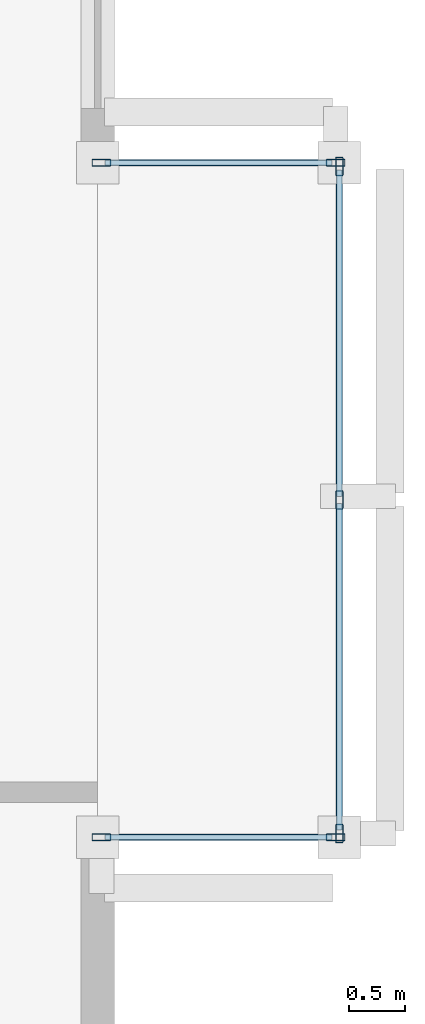
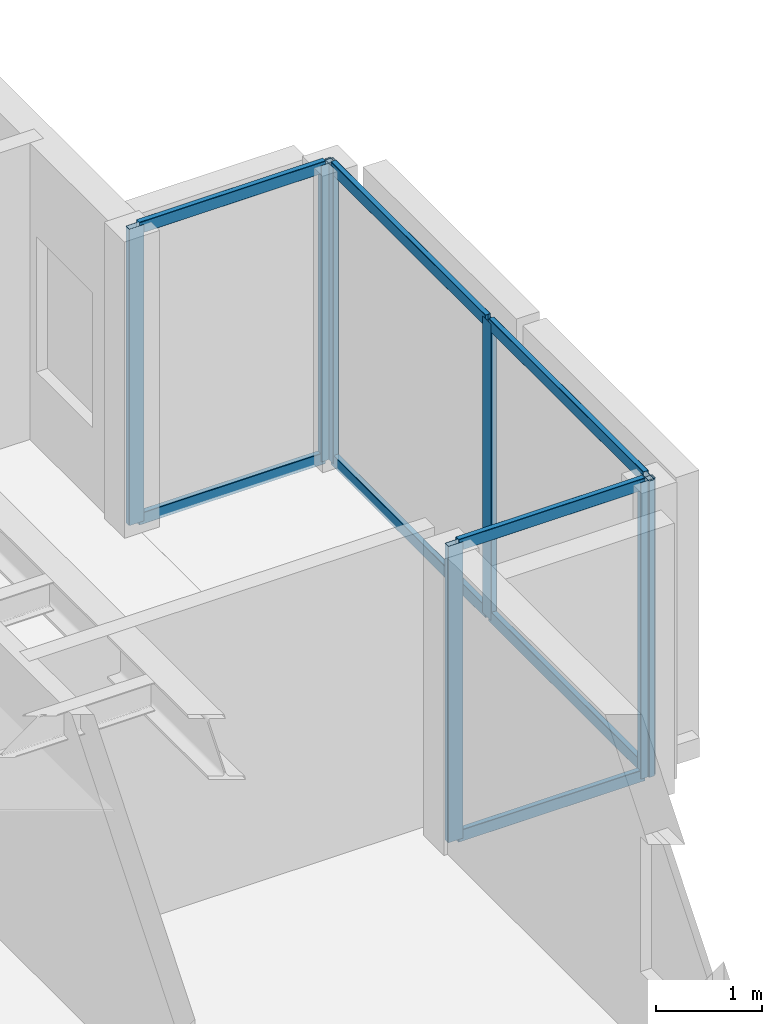
# One storey, part 6 of 16: 15 members, 3 elements without a shape of their own.
"""IFC4 building model written with IfcOpenShell, lengths in metres."""

from ifc_helpers import new_model, si_unit, direction, frame, origin, origin_2d, place, context, subcontext, project, spatial, hollow_rectangle, extrude, material, layer, layer_set, material_profile, profile_set, type_object, element, aggregate, save


model = new_model("IFC4")

# Units and contexts
model_context = context("Model", 3, precision=1e-05, world=origin(), true_north=direction((0.0, 1.0)))
body_context = subcontext(model_context, "Body", "Model", "MODEL_VIEW")
ifc_project = project(units=[si_unit("LENGTHUNIT", "METRE"), si_unit("AREAUNIT", "SQUARE_METRE"), si_unit("VOLUMEUNIT", "CUBIC_METRE"), si_unit("PLANEANGLEUNIT", "RADIAN"), si_unit("MASSUNIT", "GRAM", prefix="KILO")], contexts=[model_context])

# Site, building, storey
site_placement = place(None, origin())
site = spatial("IfcSite", under=ifc_project, at=site_placement, CompositionType="ELEMENT")
building_placement = place(site_placement, origin())
building = spatial("IfcBuilding", under=site, at=building_placement, Name="An Khanh Terracotta Commons", CompositionType="ELEMENT")
storey_placement = place(building_placement, frame((0.0, 0.0, 68.39990234375)))
storey = spatial("IfcBuildingStorey", under=building, at=storey_placement, Name="L18", CompositionType="ELEMENT", Elevation=68.39990234375)

# Curtain wall, members
ifc_material = material(Name="Anodised Aluminium 6063-T6", Category="aluminium")
ifc_layer = layer(ifc_material, 0.239990234375, Name="Anodised Aluminium 6063-T6")
ifc_layer_set = layer_set([ifc_layer], Name="Anodised Aluminium 6063-T6")
curtain_wall_type = type_object("IfcCurtainWallType", Name="CW-SYS-04", PredefinedType="USERDEFINED", material=ifc_layer_set)
curtain_wall_1_placement = place(storey_placement, origin())
curtain_wall_1 = element("IfcCurtainWall", 1, at=curtain_wall_1_placement, inside=storey, type_object=curtain_wall_type, Name="L18 CW-04 Unitised Curtain Wall CW-L18-EBOX-1", ObjectType="UNITISED CURTAIN WALL", PredefinedType="USERDEFINED")
ifc_material_profile_1 = material_profile(ifc_material, hollow_rectangle(XDim=0.06494140625, YDim=0.1650390625, WallThickness=0.00390625, InnerFilletRadius=0.00390625, OuterFilletRadius=0.008056640625, at=origin_2d()), Name="RHS165x65x4")
ifc_profile_set_1 = profile_set([ifc_material_profile_1], Name="Anodised Aluminium 6063-T6")
member_type_1 = type_object("IfcMemberType", Name="CWM-RHS165x65x4", PredefinedType="MULLION", material=ifc_profile_set_1)
member_1_placement = place(storey_placement, frame((53.75, 22.632568359375, 0.0), z_axis=(0.0, 0.0, 1.0), x_axis=(-1.0, 0.0, 0.0)))
member_1 = element("IfcMember", 2, at=member_1_placement, type_object=member_type_1, Name="CW-04 mullion 1", PredefinedType="MULLION", context=body_context, shape_type="SweptSolid", body=[
    extrude(hollow_rectangle(XDim=0.06494140625, YDim=0.1650390625, WallThickness=0.00390625, InnerFilletRadius=0.00390625, OuterFilletRadius=0.008056640625, at=origin_2d()), origin(), (0.0, 0.0, 1.0), 3.400146484375),
])
member_2_placement = place(storey_placement, frame((53.75, 25.60009765625, 0.0), z_axis=(0.0, 0.0, 1.0), x_axis=(-1.0, 0.0, 0.0)))
member_2 = element("IfcMember", 3, at=member_2_placement, type_object=member_type_1, Name="CW-04 mullion 2", PredefinedType="MULLION", context=body_context, shape_type="SweptSolid", body=[
    extrude(hollow_rectangle(XDim=0.06494140625, YDim=0.1650390625, WallThickness=0.00390625, InnerFilletRadius=0.00390625, OuterFilletRadius=0.008056640625, at=origin_2d()), origin(), (0.0, 0.0, 1.0), 3.400146484375),
])
member_3_placement = place(storey_placement, frame((53.75, 28.5673828125, 0.0), z_axis=(0.0, 0.0, 1.0), x_axis=(-1.0, 0.0, 0.0)))
member_3 = element("IfcMember", 4, at=member_3_placement, type_object=member_type_1, Name="CW-04 mullion 3", PredefinedType="MULLION", context=body_context, shape_type="SweptSolid", body=[
    extrude(hollow_rectangle(XDim=0.06494140625, YDim=0.1650390625, WallThickness=0.00390625, InnerFilletRadius=0.00390625, OuterFilletRadius=0.008056640625, at=origin_2d()), origin(), (0.0, 0.0, 1.0), 3.400146484375),
])

curtain_wall_2_placement = place(storey_placement, origin())
curtain_wall_2 = element("IfcCurtainWall", 5, at=curtain_wall_2_placement, inside=storey, type_object=curtain_wall_type, Name="L18 CW-04 Unitised Curtain Wall CW-L18-EBOX-2", ObjectType="UNITISED CURTAIN WALL", PredefinedType="USERDEFINED")
member_4_placement = place(storey_placement, frame((51.632568359375, 22.60009765625, 0.0), z_axis=(0.0, 0.0, 1.0), x_axis=(0.0, 1.0, 0.0)))
member_4 = element("IfcMember", 6, at=member_4_placement, type_object=member_type_1, Name="CW-04 mullion 1", PredefinedType="MULLION", context=body_context, shape_type="SweptSolid", body=[
    extrude(hollow_rectangle(XDim=0.06494140625, YDim=0.1650390625, WallThickness=0.00390625, InnerFilletRadius=0.00390625, OuterFilletRadius=0.008056640625, at=origin_2d()), origin(), (0.0, 0.0, 1.0), 3.400146484375),
])
member_5_placement = place(storey_placement, frame((53.717529296875, 22.60009765625, 0.0), z_axis=(0.0, 0.0, 1.0), x_axis=(0.0, 1.0, 0.0)))
member_5 = element("IfcMember", 7, at=member_5_placement, type_object=member_type_1, Name="CW-04 mullion 2", PredefinedType="MULLION", context=body_context, shape_type="SweptSolid", body=[
    extrude(hollow_rectangle(XDim=0.06494140625, YDim=0.1650390625, WallThickness=0.00390625, InnerFilletRadius=0.00390625, OuterFilletRadius=0.008056640625, at=origin_2d()), origin(), (0.0, 0.0, 1.0), 3.400146484375),
])

curtain_wall_3_placement = place(storey_placement, origin())
curtain_wall_3 = element("IfcCurtainWall", 8, at=curtain_wall_3_placement, inside=storey, type_object=curtain_wall_type, Name="L18 CW-04 Unitised Curtain Wall CW-L18-EBOX-3", ObjectType="UNITISED CURTAIN WALL", PredefinedType="USERDEFINED")
member_6_placement = place(storey_placement, frame((53.717529296875, 28.60009765625, 0.0), z_axis=(0.0, 0.0, 1.0), x_axis=(0.0, -1.0, 0.0)))
member_6 = element("IfcMember", 9, at=member_6_placement, type_object=member_type_1, Name="CW-04 mullion 1", PredefinedType="MULLION", context=body_context, shape_type="SweptSolid", body=[
    extrude(hollow_rectangle(XDim=0.06494140625, YDim=0.1650390625, WallThickness=0.00390625, InnerFilletRadius=0.00390625, OuterFilletRadius=0.008056640625, at=origin_2d()), origin(), (0.0, 0.0, 1.0), 3.400146484375),
])
member_7_placement = place(storey_placement, frame((51.632568359375, 28.60009765625, 0.0), z_axis=(0.0, 0.0, 1.0), x_axis=(0.0, -1.0, 0.0)))
member_7 = element("IfcMember", 10, at=member_7_placement, type_object=member_type_1, Name="CW-04 mullion 2", PredefinedType="MULLION", context=body_context, shape_type="SweptSolid", body=[
    extrude(hollow_rectangle(XDim=0.06494140625, YDim=0.1650390625, WallThickness=0.00390625, InnerFilletRadius=0.00390625, OuterFilletRadius=0.008056640625, at=origin_2d()), origin(), (0.0, 0.0, 1.0), 3.400146484375),
])

# Member
ifc_material_profile_2 = material_profile(ifc_material, hollow_rectangle(XDim=0.06005859375, YDim=0.135009765625, WallThickness=0.003662109375, InnerFilletRadius=0.003662109375, OuterFilletRadius=0.007080078125, at=origin_2d()), Name="RHS135x60x3.6")
ifc_profile_set_2 = profile_set([ifc_material_profile_2], Name="Anodised Aluminium 6063-T6")
member_type_2 = type_object("IfcMemberType", Name="CWT-RHS135x60x3.6", PredefinedType="USERDEFINED", material=ifc_profile_set_2)
member_8_placement = place(storey_placement, frame((53.75, 22.6650390625, 0.030029296875), z_axis=(0.0, 1.0, 0.0), x_axis=(-1.0, 0.0, 0.0)))
member_8 = element("IfcMember", 11, at=member_8_placement, type_object=member_type_2, Name="CW-04 transom 1.1", ObjectType="TRANSOM", PredefinedType="USERDEFINED", context=body_context, shape_type="SweptSolid", body=[
    extrude(hollow_rectangle(XDim=0.06005859375, YDim=0.135009765625, WallThickness=0.003662109375, InnerFilletRadius=0.003662109375, OuterFilletRadius=0.007080078125, at=origin_2d()), origin(), (0.0, 0.0, 1.0), 2.90234375),
])

member_9_placement = place(storey_placement, frame((53.75, 22.6650390625, 3.3701171875), z_axis=(0.0, 1.0, 0.0), x_axis=(-1.0, 0.0, 0.0)))
member_9 = element("IfcMember", 12, at=member_9_placement, type_object=member_type_2, Name="CW-04 transom 1.2", ObjectType="TRANSOM", PredefinedType="USERDEFINED", context=body_context, shape_type="SweptSolid", body=[
    extrude(hollow_rectangle(XDim=0.06005859375, YDim=0.135009765625, WallThickness=0.003662109375, InnerFilletRadius=0.003662109375, OuterFilletRadius=0.007080078125, at=origin_2d()), origin(), (0.0, 0.0, 1.0), 2.90234375),
])

member_10_placement = place(storey_placement, frame((53.75, 25.632568359375, 0.030029296875), z_axis=(0.0, 1.0, 0.0), x_axis=(-1.0, 0.0, 0.0)))
member_10 = element("IfcMember", 13, at=member_10_placement, type_object=member_type_2, Name="CW-04 transom 2.1", ObjectType="TRANSOM", PredefinedType="USERDEFINED", context=body_context, shape_type="SweptSolid", body=[
    extrude(hollow_rectangle(XDim=0.06005859375, YDim=0.135009765625, WallThickness=0.003662109375, InnerFilletRadius=0.003662109375, OuterFilletRadius=0.007080078125, at=origin_2d()), origin(), (0.0, 0.0, 1.0), 2.90234375),
])

member_11_placement = place(storey_placement, frame((53.75, 25.632568359375, 3.3701171875), z_axis=(0.0, 1.0, 0.0), x_axis=(-1.0, 0.0, 0.0)))
member_11 = element("IfcMember", 14, at=member_11_placement, type_object=member_type_2, Name="CW-04 transom 2.2", ObjectType="TRANSOM", PredefinedType="USERDEFINED", context=body_context, shape_type="SweptSolid", body=[
    extrude(hollow_rectangle(XDim=0.06005859375, YDim=0.135009765625, WallThickness=0.003662109375, InnerFilletRadius=0.003662109375, OuterFilletRadius=0.007080078125, at=origin_2d()), origin(), (0.0, 0.0, 1.0), 2.90234375),
])

aggregate(curtain_wall_1, [member_1, member_2, member_3, member_8, member_9, member_10, member_11])

member_12_placement = place(storey_placement, frame((51.6650390625, 22.60009765625, 0.030029296875), z_axis=(1.0, 0.0, 0.0), x_axis=(0.0, 1.0, 0.0)))
member_12 = element("IfcMember", 15, at=member_12_placement, type_object=member_type_2, Name="CW-04 transom 1.1", ObjectType="TRANSOM", PredefinedType="USERDEFINED", context=body_context, shape_type="SweptSolid", body=[
    extrude(hollow_rectangle(XDim=0.06005859375, YDim=0.135009765625, WallThickness=0.003662109375, InnerFilletRadius=0.003662109375, OuterFilletRadius=0.007080078125, at=origin_2d()), origin(), (0.0, 0.0, 1.0), 2.02001953125),
])

member_13_placement = place(storey_placement, frame((51.6650390625, 22.60009765625, 3.3701171875), z_axis=(1.0, 0.0, 0.0), x_axis=(0.0, 1.0, 0.0)))
member_13 = element("IfcMember", 16, at=member_13_placement, type_object=member_type_2, Name="CW-04 transom 1.2", ObjectType="TRANSOM", PredefinedType="USERDEFINED", context=body_context, shape_type="SweptSolid", body=[
    extrude(hollow_rectangle(XDim=0.06005859375, YDim=0.135009765625, WallThickness=0.003662109375, InnerFilletRadius=0.003662109375, OuterFilletRadius=0.007080078125, at=origin_2d()), origin(), (0.0, 0.0, 1.0), 2.02001953125),
])

aggregate(curtain_wall_2, [member_4, member_5, member_12, member_13])

member_14_placement = place(storey_placement, frame((53.68505859375, 28.60009765625, 0.030029296875), z_axis=(-1.0, 0.0, 0.0), x_axis=(0.0, -1.0, 0.0)))
member_14 = element("IfcMember", 17, at=member_14_placement, type_object=member_type_2, Name="CW-04 transom 1.1", ObjectType="TRANSOM", PredefinedType="USERDEFINED", context=body_context, shape_type="SweptSolid", body=[
    extrude(hollow_rectangle(XDim=0.06005859375, YDim=0.135009765625, WallThickness=0.003662109375, InnerFilletRadius=0.003662109375, OuterFilletRadius=0.007080078125, at=origin_2d()), origin(), (0.0, 0.0, 1.0), 2.02001953125),
])

member_15_placement = place(storey_placement, frame((53.68505859375, 28.60009765625, 3.3701171875), z_axis=(-1.0, 0.0, 0.0), x_axis=(0.0, -1.0, 0.0)))
member_15 = element("IfcMember", 18, at=member_15_placement, type_object=member_type_2, Name="CW-04 transom 1.2", ObjectType="TRANSOM", PredefinedType="USERDEFINED", context=body_context, shape_type="SweptSolid", body=[
    extrude(hollow_rectangle(XDim=0.06005859375, YDim=0.135009765625, WallThickness=0.003662109375, InnerFilletRadius=0.003662109375, OuterFilletRadius=0.007080078125, at=origin_2d()), origin(), (0.0, 0.0, 1.0), 2.02001953125),
])

aggregate(curtain_wall_3, [member_6, member_7, member_14, member_15])

save(model, "model.ifc")
